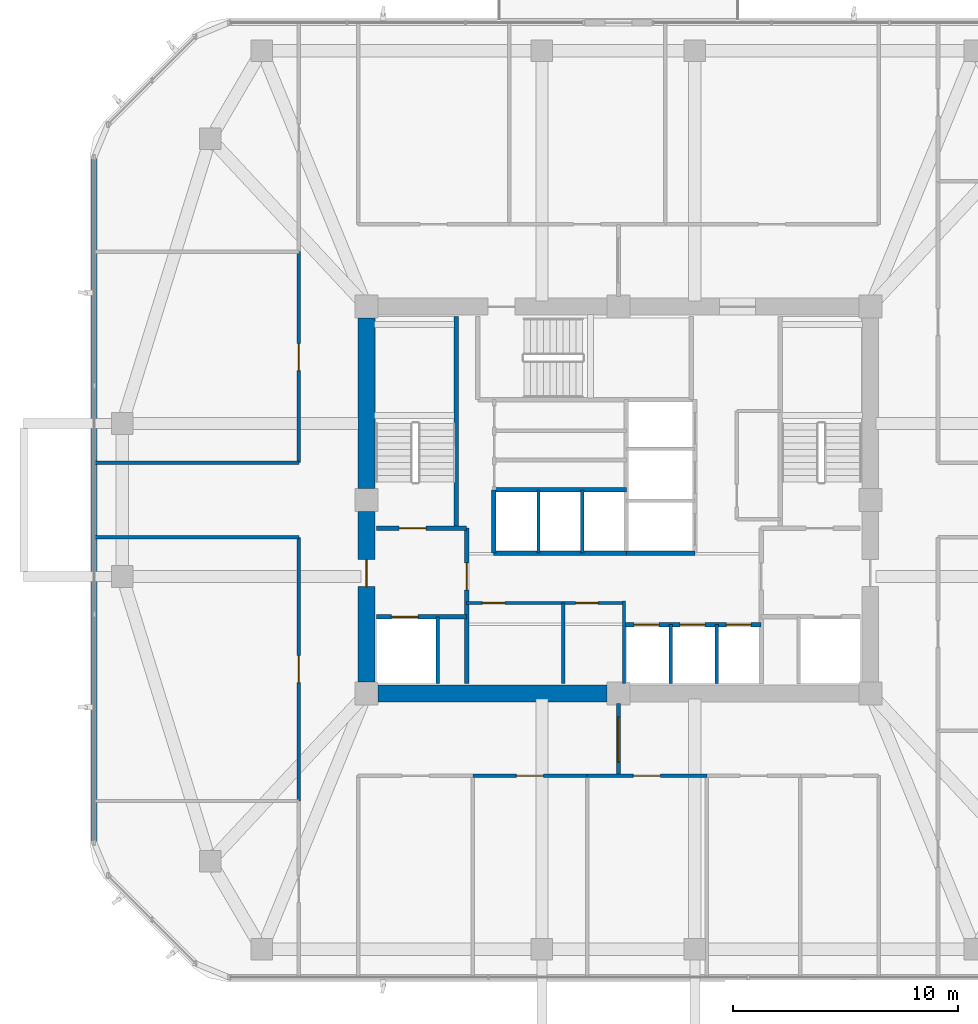
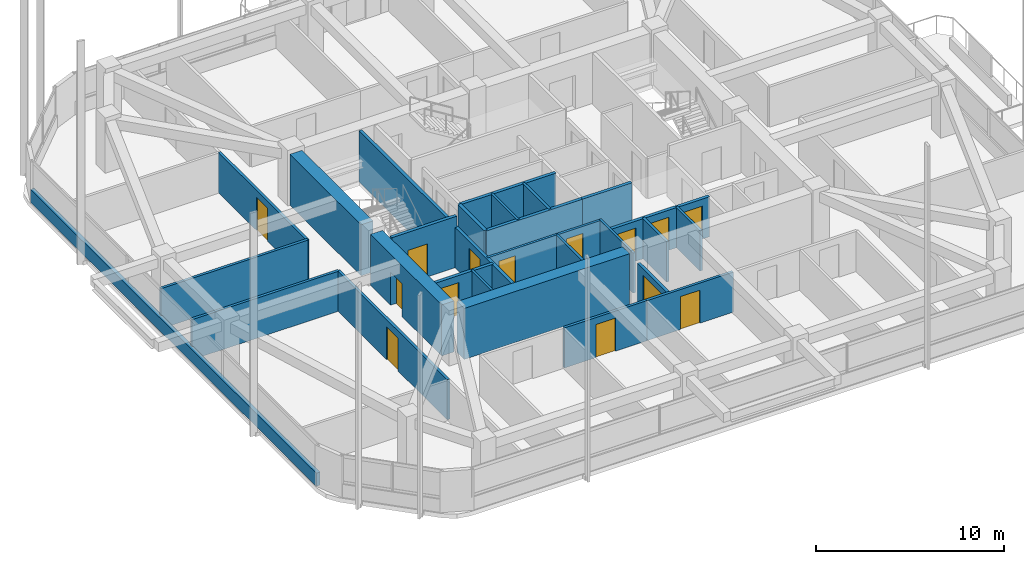
# One storey, part 8 of 14: 28 walls, 14 doors, 14 openings.
"""IFC4 building model written with IfcOpenShell, lengths in metres."""

from ifc_helpers import new_model, si_unit, derived_unit, direction, frame, frame_2d, origin, place, context, subcontext, project, spatial, rectangle, extrude, material, layer, layer_set, type_object, element, fill, save


model = new_model("IFC4")

# Units and contexts
model_context = context("Model", 3, precision=1e-05, world=origin(), true_north=direction((0.0, 1.0)))
body_context = subcontext(model_context, "Body", "Model", "MODEL_VIEW")
ifc_project = project(units=[si_unit("LENGTHUNIT", "METRE"), si_unit("AREAUNIT", "SQUARE_METRE"), si_unit("VOLUMEUNIT", "CUBIC_METRE"), si_unit("PLANEANGLEUNIT", "RADIAN"), si_unit("MASSUNIT", "GRAM", prefix="KILO"), derived_unit("THERMALTRANSMITTANCEUNIT", [(si_unit("POWERUNIT", "WATT"), 1), (si_unit("LENGTHUNIT", "METRE"), -2), (si_unit("THERMODYNAMICTEMPERATUREUNIT", "KELVIN"), -1)])], contexts=[model_context])

# Site, building, storey
site_placement = place(None, origin())
site = spatial("IfcSite", under=ifc_project, at=site_placement, CompositionType="ELEMENT")
building_placement = place(site_placement, origin())
building = spatial("IfcBuilding", under=site, at=building_placement, Name="Koralith Skygarden Medical Center", CompositionType="ELEMENT")
storey_placement = place(building_placement, frame((0.0, 0.0, 145.6201171875)))
storey = spatial("IfcBuildingStorey", under=building, at=storey_placement, Name="L37", CompositionType="ELEMENT", Elevation=145.6201171875)

# Wall, openings, doors
ifc_material_1 = material(Name="Gypsum Board Partition")
ifc_layer_1 = layer(ifc_material_1, 0.14990234375)
ifc_layer_set_1 = layer_set([ifc_layer_1], Name="Gypsum Board Partition")
wall_type_1 = type_object("IfcWallType", Name="Clinical Acoustic Partition 150", PredefinedType="PARTITIONING", material=ifc_layer_set_1)
wall_1_placement = place(storey_placement, frame((30.25, 21.320068359375, 0.0), z_axis=(0.0, 0.0, 1.0), x_axis=(1.0, 0.0, 0.0)))
wall_1 = element("IfcWall", 1, at=wall_1_placement, inside=storey, type_object=wall_type_1, Name="L37 Clinical Acoustic Partition 150 W-CORE-L37-FREED-LR-N", PredefinedType="PARTITIONING", context=body_context, shape_type="SweptSolid", body=[
    extrude(rectangle(XDim=7.0, YDim=0.14990234375, at=frame_2d((3.5, 0.0))), origin(), (0.0, 0.0, 1.0), 2.60986328125),
])
opening_1_placement = place(wall_1_placement, frame((0.699951171875, 0.0, 0.0)))
opening_1 = element("IfcOpeningElement", 2, at=opening_1_placement, cuts=wall_1, Name="Opening D-SUP", PredefinedType="OPENING", context=body_context, shape_type="SweptSolid", body=[
    extrude(rectangle(XDim=1.0, YDim=2.14990234375, at=frame_2d((0.5, 1.074951171875))), frame((0.0, 0.0849609375, 0.0), z_axis=(0.0, -1.0, 0.0), x_axis=(1.0, 0.0, 0.0)), (0.0, 0.0, 1.0), 0.169921875),
])
opening_2_placement = place(wall_1_placement, frame((4.85009765625, 0.0, 0.0)))
opening_2 = element("IfcOpeningElement", 3, at=opening_2_placement, cuts=wall_1, Name="Opening D-SUP", PredefinedType="OPENING", context=body_context, shape_type="SweptSolid", body=[
    extrude(rectangle(XDim=1.0, YDim=2.14990234375, at=frame_2d((0.5, 1.074951171875))), frame((0.0, 0.0849609375, 0.0), z_axis=(0.0, -1.0, 0.0), x_axis=(1.0, 0.0, 0.0)), (0.0, 0.0, 1.0), 0.169921875),
])
ifc_material_2 = material(Name="Aluminium 6063-T6", Category="aluminium")
door_type_1 = type_object("IfcDoorType", Name="Clinical Support Door D-SUP 1000", OperationType="NOTDEFINED", PredefinedType="DOOR", material=ifc_material_2)
door_1_placement = place(opening_1_placement, frame((1.0, 0.0, 0.0), z_axis=(0.0, 0.0, 1.0), x_axis=(-1.0, 0.0, 0.0)))
door_1 = element("IfcDoor", 4, at=door_1_placement, inside=storey, type_object=door_type_1, Name="L37 Medication Preparation Door", OperationType="SINGLE_SWING_LEFT", OverallHeight=2.14990234375, OverallWidth=1.0, PredefinedType="DOOR", context=body_context, shape_type="SweptSolid", body=[
    extrude(rectangle(XDim=1.0, YDim=2.14990234375, at=frame_2d((0.5, 1.074951171875))), frame((0.0, 0.02490234375, 0.0), z_axis=(0.0, -1.0, 0.0), x_axis=(1.0, 0.0, 0.0)), (0.0, 0.0, 1.0), 0.050048828125),
])
fill(opening_1, door_1)
door_2_placement = place(opening_2_placement, frame((1.0, 0.0, 0.0), z_axis=(0.0, 0.0, 1.0), x_axis=(-1.0, 0.0, 0.0)))
door_2 = element("IfcDoor", 5, at=door_2_placement, inside=storey, type_object=door_type_1, Name="L37 Telemetry Room Door", OperationType="SINGLE_SWING_RIGHT", OverallHeight=2.14990234375, OverallWidth=1.0, PredefinedType="DOOR", context=body_context, shape_type="SweptSolid", body=[
    extrude(rectangle(XDim=1.0, YDim=2.14990234375, at=frame_2d((0.5, 1.074951171875))), frame((0.0, 0.02490234375, 0.0), z_axis=(0.0, -1.0, 0.0), x_axis=(1.0, 0.0, 0.0)), (0.0, 0.0, 1.0), 0.050048828125),
])
fill(opening_2, door_2)

# Walls
wall_2_placement = place(storey_placement, frame((34.550048828125, 17.75, 0.0), z_axis=(0.0, 0.0, 1.0), x_axis=(0.0, 1.0, 0.0)))
element("IfcWall", 6, at=wall_2_placement, inside=storey, type_object=wall_type_1, Name="L37 Clinical Acoustic Partition 150 W-CORE-L37-FREED-LR-M", PredefinedType="PARTITIONING", context=body_context, shape_type="SweptSolid", body=[
    extrude(rectangle(XDim=3.570068359375, YDim=0.14990234375, at=frame_2d((1.78515625, 0.0))), origin(), (0.0, 0.0, 1.0), 2.60986328125),
])
ifc_layer_2 = layer(ifc_material_1, 0.1650390625)
ifc_layer_set_2 = layer_set([ifc_layer_2], Name="Gypsum Board Partition")
wall_type_2 = type_object("IfcWallType", Name="Clinical Corridor Partition 165", PredefinedType="PARTITIONING", material=ifc_layer_set_2)
for number, where, z_axis, x_axis, name in (
    (7, (13.716064453125, 24.239990234375, 0.0), (0.0, 0.0, 1.0), (1.0, 0.0, 0.0), "L37 Clinical Corridor Partition 165 W-HCOR-L37-EWS-W"),
    (8, (13.716064453125, 27.56005859375, 0.0), (0.0, 0.0, 1.0), (1.0, 0.0, 0.0), "L37 Clinical Corridor Partition 165 W-HCOR-L37-EWN-W"),
):
    element("IfcWall", number, at=place(storey_placement, frame(where, z_axis=z_axis, x_axis=x_axis)), inside=storey, type_object=wall_type_2, Name=name, PredefinedType="PARTITIONING", context=body_context, shape_type="SweptSolid", body=[
        extrude(rectangle(XDim=9.073974609375, YDim=0.1650390625, at=frame_2d((4.537109375, 0.0))), origin(), (0.0, 0.0, 1.0), 2.60986328125),
    ])

# Wall, opening, door
wall_3_placement = place(storey_placement, frame((30.52587890625, 13.639892578125, 0.0), z_axis=(0.0, 0.0, 1.0), x_axis=(1.0, 0.0, 0.0)))
wall_3 = element("IfcWall", 9, at=wall_3_placement, inside=storey, type_object=wall_type_2, Name="L37 Clinical Corridor Partition 165 W-CORR-L37-S-02", PredefinedType="PARTITIONING", context=body_context, shape_type="SweptSolid", body=[
    extrude(rectangle(XDim=5.087158203125, YDim=0.1650390625, at=frame_2d((2.54345703125, 0.0))), origin(), (0.0, 0.0, 1.0), 2.60986328125),
])
opening_3_placement = place(wall_3_placement, frame((1.943115234375, 0.0, 0.0)))
opening_3 = element("IfcOpeningElement", 10, at=opening_3_placement, cuts=wall_3, Name="Opening D-CLN", PredefinedType="OPENING", context=body_context, shape_type="SweptSolid", body=[
    extrude(rectangle(XDim=1.199951171875, YDim=2.14990234375, at=frame_2d((0.60009765625, 1.074951171875))), frame((0.0, 0.092529296875, 0.0), z_axis=(0.0, -1.0, 0.0), x_axis=(1.0, 0.0, 0.0)), (0.0, 0.0, 1.0), 0.18505859375),
])
door_type_2 = type_object("IfcDoorType", Name="Clinical Corridor Door D-CLN 1200", OperationType="NOTDEFINED", PredefinedType="DOOR", material=ifc_material_2)
door_3_placement = place(opening_3_placement, frame((1.199951171875, 0.0, 0.0), z_axis=(0.0, 0.0, 1.0), x_axis=(-1.0, 0.0, 0.0)))
door_3 = element("IfcDoor", 11, at=door_3_placement, inside=storey, type_object=door_type_2, Name="L37 Clinical Consultation Office 05 Door", OperationType="SINGLE_SWING_RIGHT", OverallHeight=2.14990234375, OverallWidth=1.199951171875, PredefinedType="DOOR", context=body_context, shape_type="SweptSolid", body=[
    extrude(rectangle(XDim=1.199951171875, YDim=2.14990234375, at=frame_2d((0.60009765625, 1.074951171875))), frame((0.0, 0.02490234375, 0.0), z_axis=(0.0, -1.0, 0.0), x_axis=(1.0, 0.0, 0.0)), (0.0, 0.0, 1.0), 0.050048828125),
])
fill(opening_3, door_3)

wall_4_placement = place(storey_placement, frame((35.613037109375, 13.639892578125, 0.0), z_axis=(0.0, 0.0, 1.0), x_axis=(1.0, 0.0, 0.0)))
wall_4 = element("IfcWall", 12, at=wall_4_placement, inside=storey, type_object=wall_type_2, Name="L37 Clinical Corridor Partition 165 W-CORR-L37-S-03", PredefinedType="PARTITIONING", context=body_context, shape_type="SweptSolid", body=[
    extrude(rectangle(XDim=5.31689453125, YDim=0.1650390625, at=frame_2d((2.658447265625, 0.0))), origin(), (0.0, 0.0, 1.0), 2.60986328125),
])
opening_4_placement = place(wall_4_placement, frame((2.05810546875, 0.0, 0.0)))
opening_4 = element("IfcOpeningElement", 13, at=opening_4_placement, cuts=wall_4, Name="Opening D-CLN", PredefinedType="OPENING", context=body_context, shape_type="SweptSolid", body=[
    extrude(rectangle(XDim=1.199951171875, YDim=2.14990234375, at=frame_2d((0.60009765625, 1.074951171875))), frame((0.0, 0.092529296875, 0.0), z_axis=(0.0, -1.0, 0.0), x_axis=(1.0, 0.0, 0.0)), (0.0, 0.0, 1.0), 0.18505859375),
])
door_4_placement = place(opening_4_placement, frame((1.199951171875, 0.0, 0.0), z_axis=(0.0, 0.0, 1.0), x_axis=(-1.0, 0.0, 0.0)))
door_4 = element("IfcDoor", 14, at=door_4_placement, inside=storey, type_object=door_type_2, Name="L37 Dermatology Procedure Room 06 Door", OperationType="SINGLE_SWING_LEFT", OverallHeight=2.14990234375, OverallWidth=1.199951171875, PredefinedType="DOOR", context=body_context, shape_type="SweptSolid", body=[
    extrude(rectangle(XDim=1.199951171875, YDim=2.14990234375, at=frame_2d((0.60009765625, 1.074951171875))), frame((0.0, 0.02490234375, 0.0), z_axis=(0.0, -1.0, 0.0), x_axis=(1.0, 0.0, 0.0)), (0.0, 0.0, 1.0), 0.050048828125),
])
fill(opening_4, door_4)

wall_5_placement = place(storey_placement, frame((22.7900390625, 12.51611328125, 0.0), z_axis=(0.0, 0.0, 1.0), x_axis=(0.0, 1.0, 0.0)))
wall_5 = element("IfcWall", 15, at=wall_5_placement, inside=storey, type_object=wall_type_2, Name="L37 Clinical Corridor Partition 165 W-CORR-L37-WS-02", PredefinedType="PARTITIONING", context=body_context, shape_type="SweptSolid", body=[
    extrude(rectangle(XDim=11.723876953125, YDim=0.1650390625, at=frame_2d((5.86181640625, 0.0))), origin(), (0.0, 0.0, 1.0), 2.60986328125),
])
opening_5_placement = place(wall_5_placement, frame((5.261962890625, 0.0, 0.0)))
opening_5 = element("IfcOpeningElement", 16, at=opening_5_placement, cuts=wall_5, Name="Opening D-CLN", PredefinedType="OPENING", context=body_context, shape_type="SweptSolid", body=[
    extrude(rectangle(XDim=1.199951171875, YDim=2.14990234375, at=frame_2d((0.60009765625, 1.074951171875))), frame((0.0, 0.092529296875, 0.0), z_axis=(0.0, -1.0, 0.0), x_axis=(1.0, 0.0, 0.0)), (0.0, 0.0, 1.0), 0.18505859375),
])
door_5_placement = place(opening_5_placement, frame((1.199951171875, 0.0, 0.0), z_axis=(0.0, 0.0, 1.0), x_axis=(-1.0, 0.0, 0.0)))
door_5 = element("IfcDoor", 17, at=door_5_placement, inside=storey, type_object=door_type_2, Name="L37 Dermatology Procedure Room 10 Door", OperationType="SINGLE_SWING_LEFT", OverallHeight=2.14990234375, OverallWidth=1.199951171875, PredefinedType="DOOR", context=body_context, shape_type="SweptSolid", body=[
    extrude(rectangle(XDim=1.199951171875, YDim=2.14990234375, at=frame_2d((0.60009765625, 1.074951171875))), frame((0.0, 0.02490234375, 0.0), z_axis=(0.0, -1.0, 0.0), x_axis=(1.0, 0.0, 0.0)), (0.0, 0.0, 1.0), 0.050048828125),
])
fill(opening_5, door_5)

wall_6_placement = place(storey_placement, frame((22.7900390625, 27.56005859375, 0.0), z_axis=(0.0, 0.0, 1.0), x_axis=(0.0, 1.0, 0.0)))
wall_6 = element("IfcWall", 18, at=wall_6_placement, inside=storey, type_object=wall_type_2, Name="L37 Clinical Corridor Partition 165 W-CORR-L37-WN-01", PredefinedType="PARTITIONING", context=body_context, shape_type="SweptSolid", body=[
    extrude(rectangle(XDim=9.37890625, YDim=0.1650390625, at=frame_2d((4.689453125, 0.0))), origin(), (0.0, 0.0, 1.0), 2.60986328125),
])
opening_6_placement = place(wall_6_placement, frame((4.090087890625, 0.0, 0.0)))
opening_6 = element("IfcOpeningElement", 19, at=opening_6_placement, cuts=wall_6, Name="Opening D-CLN", PredefinedType="OPENING", context=body_context, shape_type="SweptSolid", body=[
    extrude(rectangle(XDim=1.199951171875, YDim=2.14990234375, at=frame_2d((0.60009765625, 1.074951171875))), frame((0.0, 0.092529296875, 0.0), z_axis=(0.0, -1.0, 0.0), x_axis=(1.0, 0.0, 0.0)), (0.0, 0.0, 1.0), 0.18505859375),
])
door_6_placement = place(opening_6_placement, frame((1.199951171875, 0.0, 0.0), z_axis=(0.0, 0.0, 1.0), x_axis=(-1.0, 0.0, 0.0)))
door_6 = element("IfcDoor", 20, at=door_6_placement, inside=storey, type_object=door_type_2, Name="L37 Allergy Immunology Office 11 Door", OperationType="SINGLE_SWING_RIGHT", OverallHeight=2.14990234375, OverallWidth=1.199951171875, PredefinedType="DOOR", context=body_context, shape_type="SweptSolid", body=[
    extrude(rectangle(XDim=1.199951171875, YDim=2.14990234375, at=frame_2d((0.60009765625, 1.074951171875))), frame((0.0, 0.02490234375, 0.0), z_axis=(0.0, -1.0, 0.0), x_axis=(1.0, 0.0, 0.0)), (0.0, 0.0, 1.0), 0.050048828125),
])
fill(opening_6, door_6)

ifc_layer_3 = layer(ifc_material_1, 0.199951171875)
ifc_layer_set_3 = layer_set([ifc_layer_3], Name="Gypsum Board Partition")
wall_type_3 = type_object("IfcWallType", Name="Fire Shaft Wall 200", PredefinedType="SOLIDWALL", material=ifc_layer_set_3)
wall_7_placement = place(storey_placement, frame((26.25, 20.699951171875, 0.0), z_axis=(0.0, 0.0, 1.0), x_axis=(1.0, 0.0, 0.0)))
wall_7 = element("IfcWall", 21, at=wall_7_placement, inside=storey, type_object=wall_type_3, Name="L37 Fire Shaft Wall 200 W-CORE-L37-FF1-N", PredefinedType="SOLIDWALL", context=body_context, shape_type="SweptSolid", body=[
    extrude(rectangle(XDim=4.0, YDim=0.199951171875, at=frame_2d((2.0, 0.0))), origin(), (0.0, 0.0, 1.0), 2.60986328125),
])
opening_7_placement = place(wall_7_placement, frame((0.64990234375, 0.0, 0.0)))
opening_7 = element("IfcOpeningElement", 22, at=opening_7_placement, cuts=wall_7, Name="Opening LD-FF", PredefinedType="OPENING", context=body_context, shape_type="SweptSolid", body=[
    extrude(rectangle(XDim=1.199951171875, YDim=2.14990234375, at=frame_2d((0.60009765625, 1.074951171875))), frame((0.0, 0.10986328125, 0.0), z_axis=(0.0, -1.0, 0.0), x_axis=(1.0, 0.0, 0.0)), (0.0, 0.0, 1.0), 0.219970703125),
])
ifc_material_3 = material(Name="Steel ASTM A500 Grade C", Category="steel")
door_type_3 = type_object("IfcDoorType", Name="Fire Lift Sliding Landing Door LD-FF 1200", OperationType="NOTDEFINED", PredefinedType="DOOR", material=ifc_material_3)
door_7_placement = place(opening_7_placement, origin())
door_7 = element("IfcDoor", 23, at=door_7_placement, inside=storey, type_object=door_type_3, Name="L37 Fire Service Elevator FF1 Landing Door", OperationType="SLIDING_TO_LEFT", OverallHeight=2.14990234375, OverallWidth=1.199951171875, PredefinedType="DOOR", context=body_context, shape_type="SweptSolid", body=[
    extrude(rectangle(XDim=1.199951171875, YDim=2.14990234375, at=frame_2d((0.60009765625, 1.074951171875))), frame((0.0, 0.02490234375, 0.0), z_axis=(0.0, -1.0, 0.0), x_axis=(1.0, 0.0, 0.0)), (0.0, 0.0, 1.0), 0.050048828125),
])
fill(opening_7, door_7)

wall_8_placement = place(storey_placement, frame((30.25, 17.75, 0.0), z_axis=(0.0, 0.0, 1.0), x_axis=(0.0, 1.0, 0.0)))
wall_8 = element("IfcWall", 24, at=wall_8_placement, inside=storey, type_object=wall_type_3, Name="L37 Fire Shaft Wall 200 W-CORE-L37-FSAEW-E", PredefinedType="SOLIDWALL", context=body_context, shape_type="SweptSolid", body=[
    extrude(rectangle(XDim=6.89990234375, YDim=0.199951171875, at=frame_2d((3.449951171875, 0.0))), origin(), (0.0, 0.0, 1.0), 2.60986328125),
])
opening_8_placement = place(wall_8_placement, frame((4.14990234375, 0.0, 0.0)))
opening_8 = element("IfcOpeningElement", 25, at=opening_8_placement, cuts=wall_8, Name="Opening D-ST60", PredefinedType="OPENING", context=body_context, shape_type="SweptSolid", body=[
    extrude(rectangle(XDim=1.199951171875, YDim=2.14990234375, at=frame_2d((0.60009765625, 1.074951171875))), frame((0.0, 0.10986328125, 0.0), z_axis=(0.0, -1.0, 0.0), x_axis=(1.0, 0.0, 0.0)), (0.0, 0.0, 1.0), 0.219970703125),
])
door_type_4 = type_object("IfcDoorType", Name="Smokeproof Stair Fire Door FD60S 1200", OperationType="NOTDEFINED", PredefinedType="DOOR", material=ifc_material_3)
door_8_placement = place(opening_8_placement, origin())
door_8 = element("IfcDoor", 26, at=door_8_placement, inside=storey, type_object=door_type_4, Name="L37 West Firefighting Lobby Inner Fire Door", OperationType="SINGLE_SWING_LEFT", OverallHeight=2.14990234375, OverallWidth=1.199951171875, PredefinedType="DOOR", context=body_context, shape_type="SweptSolid", body=[
    extrude(rectangle(XDim=1.199951171875, YDim=2.14990234375, at=frame_2d((0.60009765625, 1.074951171875))), frame((0.0, 0.02490234375, 0.0), z_axis=(0.0, -1.0, 0.0), x_axis=(1.0, 0.0, 0.0)), (0.0, 0.0, 1.0), 0.050048828125),
])
fill(opening_8, door_8)

# Wall, openings, doors
wall_9_placement = place(storey_placement, frame((37.25, 20.360107421875, 0.0), z_axis=(0.0, 0.0, 1.0), x_axis=(1.0, 0.0, 0.0)))
wall_9 = element("IfcWall", 27, at=wall_9_placement, inside=storey, type_object=wall_type_3, Name="L37 Fire Shaft Wall 200 W-CORE-L37-PM-N", PredefinedType="SOLIDWALL", context=body_context, shape_type="SweptSolid", body=[
    extrude(rectangle(XDim=6.10009765625, YDim=0.199951171875, at=frame_2d((3.050048828125, 0.0))), origin(), (0.0, 0.0, 1.0), 2.60986328125),
])
opening_9_placement = place(wall_9_placement, frame((0.449951171875, 0.0, 0.0)))
opening_9 = element("IfcOpeningElement", 28, at=opening_9_placement, cuts=wall_9, Name="Opening LD-P", PredefinedType="OPENING", context=body_context, shape_type="SweptSolid", body=[
    extrude(rectangle(XDim=1.10009765625, YDim=2.14990234375, at=frame_2d((0.550048828125, 1.074951171875))), frame((0.0, 0.10986328125, 0.0), z_axis=(0.0, -1.0, 0.0), x_axis=(1.0, 0.0, 0.0)), (0.0, 0.0, 1.0), 0.219970703125),
])
opening_10_placement = place(wall_9_placement, frame((2.5, 0.0, 0.0)))
opening_10 = element("IfcOpeningElement", 29, at=opening_10_placement, cuts=wall_9, Name="Opening LD-P", PredefinedType="OPENING", context=body_context, shape_type="SweptSolid", body=[
    extrude(rectangle(XDim=1.10009765625, YDim=2.14990234375, at=frame_2d((0.550048828125, 1.074951171875))), frame((0.0, 0.10986328125, 0.0), z_axis=(0.0, -1.0, 0.0), x_axis=(1.0, 0.0, 0.0)), (0.0, 0.0, 1.0), 0.219970703125),
])
opening_11_placement = place(wall_9_placement, frame((4.550048828125, 0.0, 0.0)))
opening_11 = element("IfcOpeningElement", 30, at=opening_11_placement, cuts=wall_9, Name="Opening LD-P", PredefinedType="OPENING", context=body_context, shape_type="SweptSolid", body=[
    extrude(rectangle(XDim=1.10009765625, YDim=2.14990234375, at=frame_2d((0.550048828125, 1.074951171875))), frame((0.0, 0.10986328125, 0.0), z_axis=(0.0, -1.0, 0.0), x_axis=(1.0, 0.0, 0.0)), (0.0, 0.0, 1.0), 0.219970703125),
])
door_type_5 = type_object("IfcDoorType", Name="Passenger Lift Sliding Landing Door LD-P 1100", OperationType="NOTDEFINED", PredefinedType="DOOR", material=ifc_material_3)
door_9_placement = place(opening_9_placement, origin())
door_9 = element("IfcDoor", 31, at=door_9_placement, inside=storey, type_object=door_type_5, Name="L37 Passenger Elevator PM1 Landing Door", OperationType="SLIDING_TO_LEFT", OverallHeight=2.14990234375, OverallWidth=1.10009765625, PredefinedType="DOOR", context=body_context, shape_type="SweptSolid", body=[
    extrude(rectangle(XDim=1.10009765625, YDim=2.14990234375, at=frame_2d((0.550048828125, 1.074951171875))), frame((0.0, 0.02490234375, 0.0), z_axis=(0.0, -1.0, 0.0), x_axis=(1.0, 0.0, 0.0)), (0.0, 0.0, 1.0), 0.050048828125),
])
fill(opening_9, door_9)
door_10_placement = place(opening_10_placement, origin())
door_10 = element("IfcDoor", 32, at=door_10_placement, inside=storey, type_object=door_type_5, Name="L37 Passenger Elevator PM2 Landing Door", OperationType="SLIDING_TO_LEFT", OverallHeight=2.14990234375, OverallWidth=1.10009765625, PredefinedType="DOOR", context=body_context, shape_type="SweptSolid", body=[
    extrude(rectangle(XDim=1.10009765625, YDim=2.14990234375, at=frame_2d((0.550048828125, 1.074951171875))), frame((0.0, 0.02490234375, 0.0), z_axis=(0.0, -1.0, 0.0), x_axis=(1.0, 0.0, 0.0)), (0.0, 0.0, 1.0), 0.050048828125),
])
fill(opening_10, door_10)
door_11_placement = place(opening_11_placement, origin())
door_11 = element("IfcDoor", 33, at=door_11_placement, inside=storey, type_object=door_type_5, Name="L37 Passenger Elevator PM3 Landing Door", OperationType="SLIDING_TO_LEFT", OverallHeight=2.14990234375, OverallWidth=1.10009765625, PredefinedType="DOOR", context=body_context, shape_type="SweptSolid", body=[
    extrude(rectangle(XDim=1.10009765625, YDim=2.14990234375, at=frame_2d((0.550048828125, 1.074951171875))), frame((0.0, 0.02490234375, 0.0), z_axis=(0.0, -1.0, 0.0), x_axis=(1.0, 0.0, 0.0)), (0.0, 0.0, 1.0), 0.050048828125),
])
fill(opening_11, door_11)

# Walls
for number, where, z_axis, x_axis, name in (
    (34, (31.449951171875, 23.5400390625, 0.0), (0.0, 0.0, 1.0), (1.0, 0.0, 0.0), "L37 Fire Shaft Wall 200 W-CORE-L37-PH-S"),
    (35, (31.449951171875, 26.35009765625, 0.0), (0.0, 0.0, 1.0), (1.0, 0.0, 0.0), "L37 Fire Shaft Wall 200 W-CORE-L37-PH-N"),
):
    element("IfcWall", number, at=place(storey_placement, frame(where, z_axis=z_axis, x_axis=x_axis)), inside=storey, type_object=wall_type_3, Name=name, PredefinedType="SOLIDWALL", context=body_context, shape_type="SweptSolid", body=[
        extrude(rectangle(XDim=5.900146484375, YDim=0.199951171875, at=frame_2d((2.9501953125, 0.0))), origin(), (0.0, 0.0, 1.0), 2.60986328125),
    ])
wall_10_placement = place(storey_placement, frame((31.449951171875, 23.5400390625, 0.0), z_axis=(0.0, 0.0, 1.0), x_axis=(0.0, 1.0, 0.0)))
element("IfcWall", 36, at=wall_10_placement, inside=storey, type_object=wall_type_3, Name="L37 Fire Shaft Wall 200 W-CORE-L37-PH-W", PredefinedType="SOLIDWALL", context=body_context, shape_type="SweptSolid", body=[
    extrude(rectangle(XDim=2.81005859375, YDim=0.199951171875, at=frame_2d((1.405029296875, 0.0))), origin(), (0.0, 0.0, 1.0), 2.60986328125),
])
wall_11_placement = place(storey_placement, frame((37.35009765625, 23.5400390625, 0.0), z_axis=(0.0, 0.0, 1.0), x_axis=(1.0, 0.0, 0.0)))
element("IfcWall", 37, at=wall_11_placement, inside=storey, type_object=wall_type_3, Name="L37 Fire Shaft Wall 200 W-CORE-L37-SV-S", PredefinedType="SOLIDWALL", context=body_context, shape_type="SweptSolid", body=[
    extrude(rectangle(XDim=3.0498046875, YDim=0.199951171875, at=frame_2d((1.52490234375, 0.0))), origin(), (0.0, 0.0, 1.0), 2.60986328125),
])

# Wall, opening, door
ifc_layer_4 = layer(ifc_material_1, 0.179931640625)
ifc_layer_set_4 = layer_set([ifc_layer_4], Name="Gypsum Board Partition")
wall_type_4 = type_object("IfcWallType", Name="Group I-2 Smoke Barrier Wall 180", PredefinedType="PARTITIONING", material=ifc_layer_set_4)
wall_12_placement = place(storey_placement, frame((37.0, 13.639892578125, 0.0), z_axis=(0.0, 0.0, 1.0), x_axis=(0.0, 1.0, 0.0)))
wall_12 = element("IfcWall", 38, at=wall_12_placement, inside=storey, type_object=wall_type_4, Name="L37 Group I-2 Smoke Barrier Wall 180 W-SMK-L37-S", PredefinedType="PARTITIONING", context=body_context, shape_type="SweptSolid", body=[
    extrude(rectangle(XDim=3.210205078125, YDim=0.179931640625, at=frame_2d((1.60498046875, 0.0))), origin(), (0.0, 0.0, 1.0), 2.60986328125),
])
opening_12_placement = place(wall_12_placement, frame((0.60498046875, 0.0, 0.0)))
opening_12 = element("IfcOpeningElement", 39, at=opening_12_placement, cuts=wall_12, Name="Opening D-SMK", PredefinedType="OPENING", context=body_context, shape_type="SweptSolid", body=[
    extrude(rectangle(XDim=2.0, YDim=2.199951171875, at=frame_2d((1.0, 1.10009765625))), frame((0.0, 0.099853515625, 0.0), z_axis=(0.0, -1.0, 0.0), x_axis=(1.0, 0.0, 0.0)), (0.0, 0.0, 1.0), 0.199951171875),
])
door_type_6 = type_object("IfcDoorType", Name="Cross-Corridor Double Smoke Door FD60S 2000", OperationType="NOTDEFINED", PredefinedType="DOOR", material=ifc_material_3)
door_12_placement = place(opening_12_placement, frame((2.0, 0.0, 0.0), z_axis=(0.0, 0.0, 1.0), x_axis=(-1.0, 0.0, 0.0)))
door_12 = element("IfcDoor", 40, at=door_12_placement, inside=storey, type_object=door_type_6, Name="L37 S Smoke Compartment Cross-Corridor Door", OperationType="DOUBLE_DOOR_SINGLE_SWING", OverallHeight=2.199951171875, OverallWidth=2.0, PredefinedType="DOOR", context=body_context, shape_type="SweptSolid", body=[
    extrude(rectangle(XDim=2.0, YDim=2.199951171875, at=frame_2d((1.0, 1.10009765625))), frame((0.0, 0.02490234375, 0.0), z_axis=(0.0, -1.0, 0.0), x_axis=(1.0, 0.0, 0.0)), (0.0, 0.0, 1.0), 0.050048828125),
])
fill(opening_12, door_12)

# Walls
ifc_material_4 = material(Name="Warm Oolitic Limestone Cladding", Category="masonry")
ifc_layer_5 = layer(ifc_material_4, 0.239990234375)
ifc_layer_set_5 = layer_set([ifc_layer_5], Name="Warm Oolitic Limestone Cladding")
wall_type_5 = type_object("IfcWallType", Name="Limestone Spandrel Sill Backup Wall 240", PredefinedType="SOLIDWALL", material=ifc_layer_set_5)
wall_13_placement = place(storey_placement, frame((13.696044921875, 41.14501953125, 0.0), z_axis=(0.0, 0.0, 1.0), x_axis=(0.0, -1.0, 0.0)))
element("IfcWall", 41, at=wall_13_placement, inside=storey, type_object=wall_type_5, Name="L37 Sill Spandrel W", PredefinedType="SOLIDWALL", context=body_context, shape_type="SweptSolid", body=[
    extrude(rectangle(XDim=30.489990234375, YDim=0.239990234375, at=frame_2d((15.2451171875, 0.0))), origin(), (0.0, 0.0, 1.0), 0.849853515625),
])
ifc_material_5 = material(Name="Concrete C70/85", Category="concrete")
ifc_layer_6 = layer(ifc_material_5, 0.75)
ifc_layer_set_6 = layer_set([ifc_layer_6], Name="Concrete C70/85")
wall_type_6 = type_object("IfcWallType", Name="Mid Core Shear Wall 750", PredefinedType="SHEAR", material=ifc_layer_set_6)
wall_14_placement = place(storey_placement, frame((26.304931640625, 17.300048828125, 0.0), z_axis=(0.0, 0.0, 1.0), x_axis=(1.0, 0.0, 0.0)))
element("IfcWall", 42, at=wall_14_placement, inside=storey, type_object=wall_type_6, Name="L37 Core Shear Wall Segment 1", PredefinedType="SHEAR", context=body_context, shape_type="SweptSolid", body=[
    extrude(rectangle(XDim=10.190185546875, YDim=0.75, at=frame_2d((5.09521484375, 0.0))), origin(), (0.0, 0.0, 1.0), 3.31982421875),
])
wall_15_placement = place(storey_placement, frame((25.800048828125, 33.9951171875, 0.0), z_axis=(0.0, 0.0, 1.0), x_axis=(0.0, -1.0, 0.0)))
element("IfcWall", 43, at=wall_15_placement, inside=storey, type_object=wall_type_6, Name="L37 Core Shear Wall Segment 7", PredefinedType="SHEAR", context=body_context, shape_type="SweptSolid", body=[
    extrude(rectangle(XDim=7.590087890625, YDim=0.75, at=frame_2d((3.794921875, 0.0))), origin(), (0.0, 0.0, 1.0), 3.31982421875),
])

# Wall, opening, door
wall_16_placement = place(storey_placement, frame((25.800048828125, 25.39501953125, 0.0), z_axis=(0.0, 0.0, 1.0), x_axis=(0.0, -1.0, 0.0)))
wall_16 = element("IfcWall", 44, at=wall_16_placement, inside=storey, type_object=wall_type_6, Name="L37 Core Shear Wall Segment 8", PredefinedType="SHEAR", context=body_context, shape_type="SweptSolid", body=[
    extrude(rectangle(XDim=7.590087890625, YDim=0.75, at=frame_2d((3.794921875, 0.0))), origin(), (0.0, 0.0, 1.0), 3.31982421875),
])
opening_13_placement = place(wall_16_placement, frame((2.14501953125, 0.0, 0.0)))
opening_13 = element("IfcOpeningElement", 45, at=opening_13_placement, cuts=wall_16, Name="Opening D-ST60", PredefinedType="OPENING", context=body_context, shape_type="SweptSolid", body=[
    extrude(rectangle(XDim=1.199951171875, YDim=2.14990234375, at=frame_2d((0.60009765625, 1.074951171875))), frame((0.0, 0.385009765625, 0.0), z_axis=(0.0, -1.0, 0.0), x_axis=(1.0, 0.0, 0.0)), (0.0, 0.0, 1.0), 0.77001953125),
])
door_13_placement = place(opening_13_placement, frame((1.199951171875, 0.0, 0.0), z_axis=(0.0, 0.0, 1.0), x_axis=(-1.0, 0.0, 0.0)))
door_13 = element("IfcDoor", 46, at=door_13_placement, inside=storey, type_object=door_type_4, Name="L37 West Corridor to Firefighting Lobby Door", OperationType="SINGLE_SWING_LEFT", OverallHeight=2.14990234375, OverallWidth=1.199951171875, PredefinedType="DOOR", context=body_context, shape_type="SweptSolid", body=[
    extrude(rectangle(XDim=1.199951171875, YDim=2.14990234375, at=frame_2d((0.60009765625, 1.074951171875))), frame((0.0, 0.02490234375, 0.0), z_axis=(0.0, -1.0, 0.0), x_axis=(1.0, 0.0, 0.0)), (0.0, 0.0, 1.0), 0.050048828125),
])
fill(opening_13, door_13)

# Walls
ifc_layer_7 = layer(ifc_material_1, 0.14990234375)
ifc_layer_set_7 = layer_set([ifc_layer_7], Name="Gypsum Board Partition")
wall_type_7 = type_object("IfcWallType", Name="Shaft Partition Wall 150", PredefinedType="PARTITIONING", material=ifc_layer_set_7)
wall_17_placement = place(storey_placement, frame((28.969970703125, 17.75, 0.0), z_axis=(0.0, 0.0, 1.0), x_axis=(0.0, 1.0, 0.0)))
element("IfcWall", 47, at=wall_17_placement, inside=storey, type_object=wall_type_7, Name="L37 Shaft Partition Wall 150 W-CORE-L37-RSRW-DIV", PredefinedType="PARTITIONING", context=body_context, shape_type="SweptSolid", body=[
    extrude(rectangle(XDim=2.949951171875, YDim=0.14990234375, at=frame_2d((1.47509765625, 0.0))), origin(), (0.0, 0.0, 1.0), 2.60986328125),
])
for number, where, z_axis, x_axis, name in (
    (48, (39.320068359375, 17.75, 0.0), (0.0, 0.0, 1.0), (0.0, 1.0, 0.0), "L37 Shaft Partition Wall 150 W-CORE-L37-PM-D1"),
    (49, (41.3701171875, 17.75, 0.0), (0.0, 0.0, 1.0), (0.0, 1.0, 0.0), "L37 Shaft Partition Wall 150 W-CORE-L37-PM-D2"),
):
    element("IfcWall", number, at=place(storey_placement, frame(where, z_axis=z_axis, x_axis=x_axis)), inside=storey, type_object=wall_type_7, Name=name, PredefinedType="PARTITIONING", context=body_context, shape_type="SweptSolid", body=[
        extrude(rectangle(XDim=2.610107421875, YDim=0.14990234375, at=frame_2d((1.30517578125, 0.0))), origin(), (0.0, 0.0, 1.0), 2.60986328125),
    ])
wall_18_placement = place(storey_placement, frame((37.25, 17.75, 0.0), z_axis=(0.0, 0.0, 1.0), x_axis=(0.0, 1.0, 0.0)))
element("IfcWall", 50, at=wall_18_placement, inside=storey, type_object=wall_type_7, Name="L37 Shaft Partition Wall 150 W-CORE-L37-PL-PM-SEP", PredefinedType="PARTITIONING", context=body_context, shape_type="SweptSolid", body=[
    extrude(rectangle(XDim=3.64990234375, YDim=0.14990234375, at=frame_2d((1.824951171875, 0.0))), origin(), (0.0, 0.0, 1.0), 2.60986328125),
])
for number, where, z_axis, x_axis, name in (
    (51, (33.449951171875, 23.5400390625, 0.0), (0.0, 0.0, 1.0), (0.0, 1.0, 0.0), "L37 Shaft Partition Wall 150 W-CORE-L37-PH-D1"),
    (52, (35.39990234375, 23.5400390625, 0.0), (0.0, 0.0, 1.0), (0.0, 1.0, 0.0), "L37 Shaft Partition Wall 150 W-CORE-L37-PH-D2"),
):
    element("IfcWall", number, at=place(storey_placement, frame(where, z_axis=z_axis, x_axis=x_axis)), inside=storey, type_object=wall_type_7, Name=name, PredefinedType="PARTITIONING", context=body_context, shape_type="SweptSolid", body=[
        extrude(rectangle(XDim=2.81005859375, YDim=0.14990234375, at=frame_2d((1.405029296875, 0.0))), origin(), (0.0, 0.0, 1.0), 2.60986328125),
    ])
ifc_material_6 = material(Name="Concrete C45/55", Category="concrete")
ifc_layer_8 = layer(ifc_material_6, 0.199951171875)
ifc_layer_set_8 = layer_set([ifc_layer_8], Name="Concrete C45/55")
wall_type_8 = type_object("IfcWallType", Name="Structural Stair Shaft Wall 200", PredefinedType="SHEAR", material=ifc_layer_set_8)
wall_19_placement = place(storey_placement, frame((29.800048828125, 24.64990234375, 0.0), z_axis=(0.0, 0.0, 1.0), x_axis=(0.0, 1.0, 0.0)))
element("IfcWall", 53, at=wall_19_placement, inside=storey, type_object=wall_type_8, Name="L37 Structural Stair Shaft Wall 200 W-CORE-L37-ST1-E", PredefinedType="SHEAR", context=body_context, shape_type="SweptSolid", body=[
    extrude(rectangle(XDim=9.400146484375, YDim=0.199951171875, at=frame_2d((4.7001953125, 0.0))), origin(), (0.0, 0.0, 1.0), 3.31982421875),
])

# Wall, opening, door
wall_20_placement = place(storey_placement, frame((26.25, 24.64990234375, 0.0), z_axis=(0.0, 0.0, 1.0), x_axis=(1.0, 0.0, 0.0)))
wall_20 = element("IfcWall", 54, at=wall_20_placement, inside=storey, type_object=wall_type_8, Name="L37 Structural Stair Shaft Wall 200 W-CORE-L37-ST1-S", PredefinedType="SHEAR", context=body_context, shape_type="SweptSolid", body=[
    extrude(rectangle(XDim=4.0, YDim=0.199951171875, at=frame_2d((2.0, 0.0))), origin(), (0.0, 0.0, 1.0), 3.31982421875),
])
opening_14_placement = place(wall_20_placement, frame((1.0, 0.0, 0.0)))
opening_14 = element("IfcOpeningElement", 55, at=opening_14_placement, cuts=wall_20, Name="Opening D-ST60", PredefinedType="OPENING", context=body_context, shape_type="SweptSolid", body=[
    extrude(rectangle(XDim=1.199951171875, YDim=2.14990234375, at=frame_2d((0.60009765625, 1.074951171875))), frame((0.0, 0.10986328125, 0.0), z_axis=(0.0, -1.0, 0.0), x_axis=(1.0, 0.0, 0.0)), (0.0, 0.0, 1.0), 0.219970703125),
])
door_14_placement = place(opening_14_placement, origin())
door_14 = element("IfcDoor", 56, at=door_14_placement, inside=storey, type_object=door_type_4, Name="L37 Exit Stair ST1 Fire Door", OperationType="SINGLE_SWING_LEFT", OverallHeight=2.14990234375, OverallWidth=1.199951171875, PredefinedType="DOOR", context=body_context, shape_type="SweptSolid", body=[
    extrude(rectangle(XDim=1.199951171875, YDim=2.14990234375, at=frame_2d((0.60009765625, 1.074951171875))), frame((0.0, 0.02490234375, 0.0), z_axis=(0.0, -1.0, 0.0), x_axis=(1.0, 0.0, 0.0)), (0.0, 0.0, 1.0), 0.050048828125),
])
fill(opening_14, door_14)

save(model, "model.ifc")
